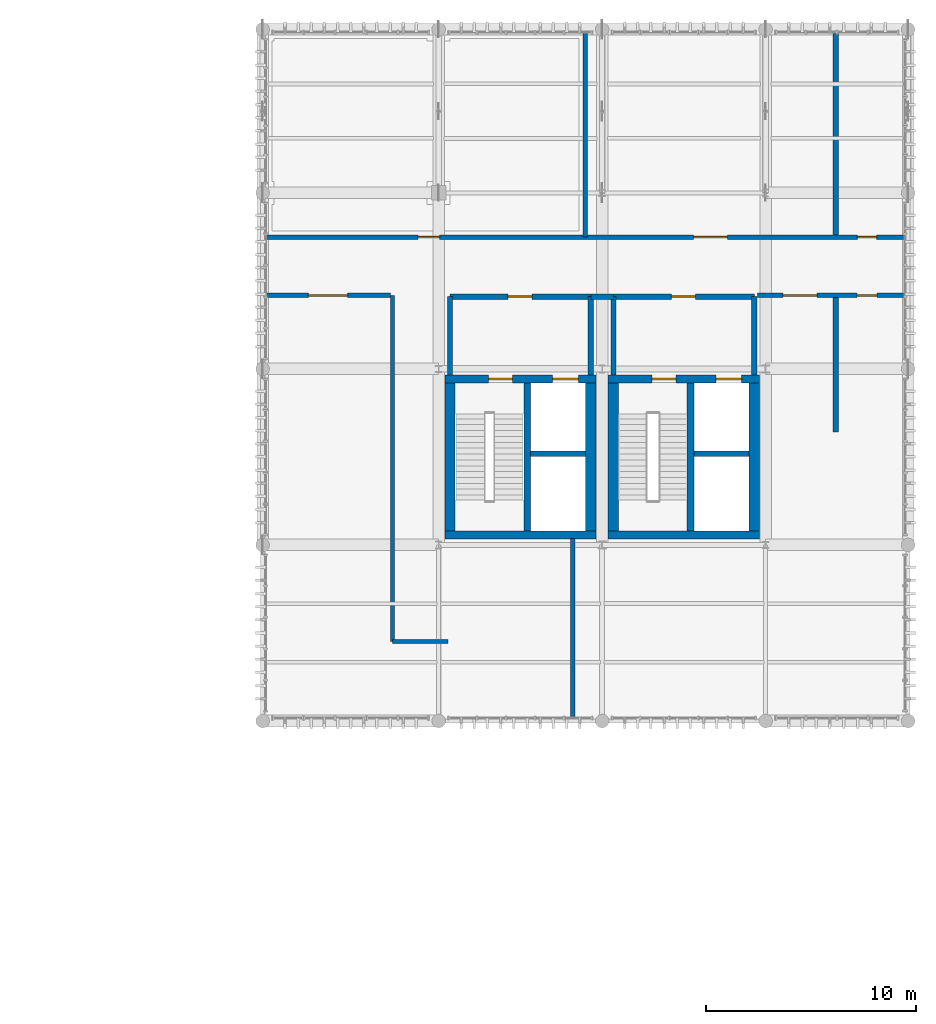
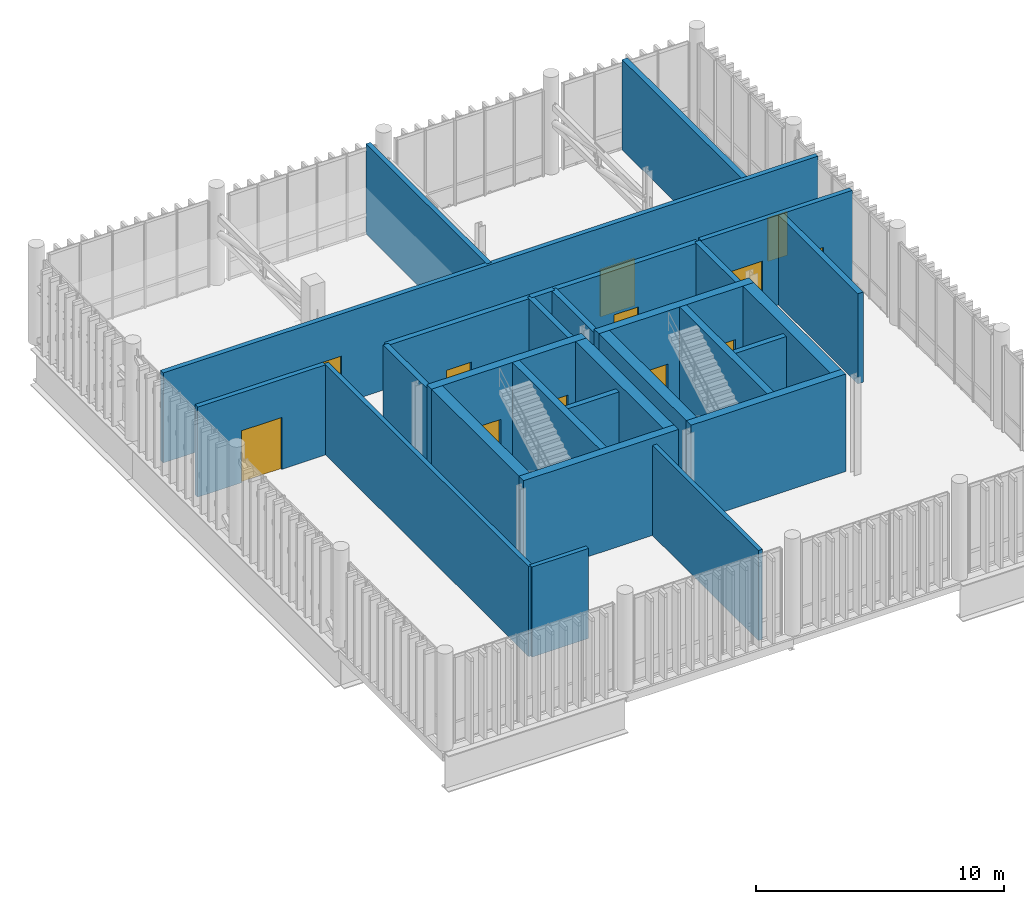
# One storey, part 72 of 81: 28 walls, 12 doors, 12 openings.
"""IFC4 building model written with IfcOpenShell, lengths in metres."""

from ifc_helpers import new_model, si_unit, direction, frame, frame_2d, origin_with_axes, place, context, subcontext, project, spatial, rectangle, extrude, material, layer, layer_set, type_object, element, fill, save


model = new_model("IFC4")

# Units and contexts
model_context = context("Model", 3, precision=1e-05, world=origin_with_axes(), true_north=direction((0.0, 1.0)))
body_context = subcontext(model_context, "Body", "Model", "MODEL_VIEW")
ifc_project = project(units=[si_unit("LENGTHUNIT", "METRE"), si_unit("AREAUNIT", "SQUARE_METRE"), si_unit("VOLUMEUNIT", "CUBIC_METRE"), si_unit("PLANEANGLEUNIT", "RADIAN"), si_unit("MASSUNIT", "GRAM", prefix="KILO"), si_unit("THERMODYNAMICTEMPERATUREUNIT", "KELVIN")], contexts=[model_context])

# Site, building, storey
site_placement = place(None, origin_with_axes())
site = spatial("IfcSite", under=ifc_project, at=site_placement, CompositionType="ELEMENT")
building_placement = place(site_placement, origin_with_axes())
building = spatial("IfcBuilding", under=site, at=building_placement, Name="Montbau Bow Law Courts", CompositionType="ELEMENT")
storey_placement = place(building_placement, frame((0.0, 0.0, 24.9), z_axis=(0.0, 0.0, 1.0), x_axis=(1.0, 0.0, 0.0)))
storey = spatial("IfcBuildingStorey", under=building, at=storey_placement, Name="L05", CompositionType="ELEMENT", Elevation=24.9)

# Walls
ifc_material_1 = material(Name="Concrete CSA A23.1 f'c 45 MPa", Category="concrete")
ifc_layer_1 = layer(ifc_material_1, 0.5, Name="Shear Wall", Category="concrete")
ifc_layer_set_1 = layer_set([ifc_layer_1], Name="Concrete CSA A23.1 f'c 45 MPa")
wall_type_1 = type_object("IfcWallType", Name="W-COR-01", PredefinedType="SHEAR", material=ifc_layer_set_1)
for number, where, z_axis, x_axis, name in (
    (1, (154.26, 87.07, 24.9), (0.0, 0.0, 1.0), (0.0, 1.0, 0.0), "WC-L05-0330:wal_0397"),
    (2, (147.54, 94.13, 24.9), (0.0, 0.0, 1.0), (0.0, -1.0, 0.0), "WC-L05-0331:wal_0398"),
    (3, (162.06, 87.07, 24.9), (0.0, 0.0, 1.0), (0.0, 1.0, 0.0), "WC-L05-0433:wal_0500"),
    (4, (155.34, 94.13, 24.9), (0.0, 0.0, 1.0), (0.0, -1.0, 0.0), "WC-L05-0434:wal_0501"),
):
    element("IfcWall", number, at=place(None, frame(where, z_axis=z_axis, x_axis=x_axis)), inside=storey, type_object=wall_type_1, Name=name, PredefinedType="SHEAR", context=body_context, shape_type="SweptSolid", body=[
        extrude(rectangle(XDim=7.060000000000002, YDim=0.5, at=frame_2d((3.53, 0.0), x_axis=(1.0, 0.0))), origin_with_axes(), (0.0, 0.0, 1.0), 4.8),
    ])
ifc_layer_2 = layer(ifc_material_1, 0.38, Name="Shear Wall", Category="concrete")
ifc_layer_set_2 = layer_set([ifc_layer_2], Name="Concrete CSA A23.1 f'c 45 MPa")
wall_type_2 = type_object("IfcWallType", Name="W-COR-04", PredefinedType="SHEAR", material=ifc_layer_set_2)
wall_1_placement = place(None, frame((147.29, 86.88, 24.9), z_axis=(0.0, 0.0, 1.0), x_axis=(1.0, 0.0, 0.0)))
element("IfcWall", 5, at=wall_1_placement, inside=storey, type_object=wall_type_2, Name="WC-L05-0328:wal_0395", PredefinedType="SHEAR", context=body_context, shape_type="SweptSolid", body=[
    extrude(rectangle(XDim=7.219999999999999, YDim=0.38, at=frame_2d((3.61, 0.0), x_axis=(1.0, 0.0))), origin_with_axes(), (0.0, 0.0, 1.0), 4.8),
])

# Wall, openings, doors
wall_2_placement = place(None, frame((154.51, 94.32, 24.9), z_axis=(0.0, 0.0, 1.0), x_axis=(-1.0, 0.0, 0.0)))
wall_2 = element("IfcWall", 6, at=wall_2_placement, inside=storey, type_object=wall_type_2, Name="WC-L05-0329:wal_0396", PredefinedType="SHEAR", context=body_context, shape_type="SweptSolid", body=[
    extrude(rectangle(XDim=7.219999999999999, YDim=0.38, at=frame_2d((3.61, 0.0), x_axis=(1.0, 0.0))), origin_with_axes(), (0.0, 0.0, 1.0), 4.8),
])
opening_1_placement = place(None, frame((149.95, 94.32, 24.9), z_axis=(0.0, 0.0, 1.0), x_axis=(-1.0, 0.0, 0.0)))
opening_1 = element("IfcOpeningElement", 7, at=opening_1_placement, cuts=wall_2, Name="OP-D-L05-ST-P2", PredefinedType="OPENING", context=body_context, shape_type="SweptSolid", body=[
    extrude(rectangle(XDim=1.14, YDim=2.18, at=frame_2d((0.0, 1.09), x_axis=(1.0, 0.0))), frame((0.0, 0.2, 0.0), z_axis=(0.0, -1.0, 0.0), x_axis=(1.0, 0.0, 0.0)), (0.0, 0.0, 1.0), 0.4),
])
opening_2_placement = place(None, frame((153.05, 94.32, 24.9), z_axis=(0.0, 0.0, 1.0), x_axis=(-1.0, 0.0, 0.0)))
opening_2 = element("IfcOpeningElement", 8, at=opening_2_placement, cuts=wall_2, Name="OP-LD-L05-EL-FF1", PredefinedType="OPENING", context=body_context, shape_type="SweptSolid", body=[
    extrude(rectangle(XDim=1.22, YDim=2.28, at=frame_2d((0.0, 1.14), x_axis=(1.0, 0.0))), frame((0.0, 0.2, 0.0), z_axis=(0.0, -1.0, 0.0), x_axis=(1.0, 0.0, 0.0)), (0.0, 0.0, 1.0), 0.4),
])
ifc_material_2 = material(Name="1.5 h Fire-Rated Hollow-Metal Exit Stair Door", Category="steel")
door_type_1 = type_object("IfcDoorType", Name="D-ST-01", OperationType="NOTDEFINED", ParameterTakesPrecedence=False, PredefinedType="DOOR", material=ifc_material_2)
door_1_placement = place(None, frame((149.95, 94.32, 24.9), z_axis=(0.0, 0.0, 1.0), x_axis=(1.0, 0.0, 0.0)))
door_1 = element("IfcDoor", 9, at=door_1_placement, inside=storey, type_object=door_type_1, Name="D-L05-ST-P2:dor_0162", OperationType="SINGLE_SWING_LEFT", OverallHeight=2.18, OverallWidth=1.14, PredefinedType="DOOR", context=body_context, shape_type="SweptSolid", body=[
    extrude(rectangle(XDim=1.14, YDim=2.18, at=frame_2d((0.0, 1.09), x_axis=(1.0, 0.0))), frame((0.0, 0.04, 0.0), z_axis=(0.0, -1.0, 0.0), x_axis=(1.0, 0.0, 0.0)), (0.0, 0.0, 1.0), 0.08),
])
fill(opening_1, door_1)
ifc_material_3 = material(Name="CSA B44 Firefighters Elevator Landing Door", Category="steel")
door_type_2 = type_object("IfcDoorType", Name="LD-FFE-01", OperationType="NOTDEFINED", ParameterTakesPrecedence=False, PredefinedType="DOOR", material=ifc_material_3)
door_2_placement = place(None, frame((153.05, 94.32, 24.9), z_axis=(0.0, 0.0, 1.0), x_axis=(1.0, 0.0, 0.0)))
door_2 = element("IfcDoor", 10, at=door_2_placement, inside=storey, type_object=door_type_2, Name="LD-L05-EL-FF1:dor_0163", OperationType="SLIDING_TO_LEFT", OverallHeight=2.28, OverallWidth=1.22, PredefinedType="DOOR", context=body_context, shape_type="SweptSolid", body=[
    extrude(rectangle(XDim=1.22, YDim=2.28, at=frame_2d((0.0, 1.14), x_axis=(1.0, 0.0))), frame((0.0, 0.04, 0.0), z_axis=(0.0, -1.0, 0.0), x_axis=(1.0, 0.0, 0.0)), (0.0, 0.0, 1.0), 0.08),
])
fill(opening_2, door_2)

# Wall
wall_3_placement = place(None, frame((155.09, 86.88, 24.9), z_axis=(0.0, 0.0, 1.0), x_axis=(1.0, 0.0, 0.0)))
element("IfcWall", 11, at=wall_3_placement, inside=storey, type_object=wall_type_2, Name="WC-L05-0431:wal_0498", PredefinedType="SHEAR", context=body_context, shape_type="SweptSolid", body=[
    extrude(rectangle(XDim=7.219999999999999, YDim=0.38, at=frame_2d((3.61, 0.0), x_axis=(1.0, 0.0))), origin_with_axes(), (0.0, 0.0, 1.0), 4.8),
])

# Wall, openings, doors
wall_4_placement = place(None, frame((162.31, 94.32, 24.9), z_axis=(0.0, 0.0, 1.0), x_axis=(-1.0, 0.0, 0.0)))
wall_4 = element("IfcWall", 12, at=wall_4_placement, inside=storey, type_object=wall_type_2, Name="WC-L05-0432:wal_0499", PredefinedType="SHEAR", context=body_context, shape_type="SweptSolid", body=[
    extrude(rectangle(XDim=7.219999999999999, YDim=0.38, at=frame_2d((3.61, 0.0), x_axis=(1.0, 0.0))), origin_with_axes(), (0.0, 0.0, 1.0), 4.8),
])
opening_3_placement = place(None, frame((157.75, 94.32, 24.9), z_axis=(0.0, 0.0, 1.0), x_axis=(-1.0, 0.0, 0.0)))
opening_3 = element("IfcOpeningElement", 13, at=opening_3_placement, cuts=wall_4, Name="OP-D-L05-ST-J2", PredefinedType="OPENING", context=body_context, shape_type="SweptSolid", body=[
    extrude(rectangle(XDim=1.14, YDim=2.18, at=frame_2d((0.0, 1.09), x_axis=(1.0, 0.0))), frame((0.0, 0.2, 0.0), z_axis=(0.0, -1.0, 0.0), x_axis=(1.0, 0.0, 0.0)), (0.0, 0.0, 1.0), 0.4),
])
opening_4_placement = place(None, frame((160.85, 94.32, 24.9), z_axis=(0.0, 0.0, 1.0), x_axis=(-1.0, 0.0, 0.0)))
opening_4 = element("IfcOpeningElement", 14, at=opening_4_placement, cuts=wall_4, Name="OP-LD-L05-EL-FF2", PredefinedType="OPENING", context=body_context, shape_type="SweptSolid", body=[
    extrude(rectangle(XDim=1.22, YDim=2.28, at=frame_2d((0.0, 1.14), x_axis=(1.0, 0.0))), frame((0.0, 0.2, 0.0), z_axis=(0.0, -1.0, 0.0), x_axis=(1.0, 0.0, 0.0)), (0.0, 0.0, 1.0), 0.4),
])
door_3_placement = place(None, frame((157.75, 94.32, 24.9), z_axis=(0.0, 0.0, 1.0), x_axis=(1.0, 0.0, 0.0)))
door_3 = element("IfcDoor", 15, at=door_3_placement, inside=storey, type_object=door_type_1, Name="D-L05-ST-J2:dor_0200", OperationType="SINGLE_SWING_RIGHT", OverallHeight=2.18, OverallWidth=1.14, PredefinedType="DOOR", context=body_context, shape_type="SweptSolid", body=[
    extrude(rectangle(XDim=1.14, YDim=2.18, at=frame_2d((0.0, 1.09), x_axis=(1.0, 0.0))), frame((0.0, 0.04, 0.0), z_axis=(0.0, -1.0, 0.0), x_axis=(1.0, 0.0, 0.0)), (0.0, 0.0, 1.0), 0.08),
])
fill(opening_3, door_3)
door_4_placement = place(None, frame((160.85, 94.32, 24.9), z_axis=(0.0, 0.0, 1.0), x_axis=(1.0, 0.0, 0.0)))
door_4 = element("IfcDoor", 16, at=door_4_placement, inside=storey, type_object=door_type_2, Name="LD-L05-EL-FF2:dor_0201", OperationType="SLIDING_TO_LEFT", OverallHeight=2.28, OverallWidth=1.22, PredefinedType="DOOR", context=body_context, shape_type="SweptSolid", body=[
    extrude(rectangle(XDim=1.22, YDim=2.28, at=frame_2d((0.0, 1.14), x_axis=(1.0, 0.0))), frame((0.0, 0.04, 0.0), z_axis=(0.0, -1.0, 0.0), x_axis=(1.0, 0.0, 0.0)), (0.0, 0.0, 1.0), 0.08),
])
fill(opening_4, door_4)

# Walls
ifc_layer_3 = layer(ifc_material_1, 0.32, Name="Shear Wall", Category="concrete")
ifc_layer_set_3 = layer_set([ifc_layer_3], Name="Concrete CSA A23.1 f'c 45 MPa")
wall_type_3 = type_object("IfcWallType", Name="W-COR-05", PredefinedType="SHEAR", material=ifc_layer_set_3)
for number, where, z_axis, x_axis, name in (
    (17, (151.22, 87.07, 24.9), (0.0, 0.0, 1.0), (0.0, 1.0, 0.0), "WS-L05-0332:wal_0399"),
    (18, (159.02, 87.07, 24.9), (0.0, 0.0, 1.0), (0.0, 1.0, 0.0), "WS-L05-0435:wal_0502"),
):
    element("IfcWall", number, at=place(None, frame(where, z_axis=z_axis, x_axis=x_axis)), inside=storey, type_object=wall_type_3, Name=name, PredefinedType="SHEAR", context=body_context, shape_type="SweptSolid", body=[
        extrude(rectangle(XDim=7.060000000000002, YDim=0.32, at=frame_2d((3.53, 0.0), x_axis=(1.0, 0.0))), origin_with_axes(), (0.0, 0.0, 1.0), 4.8),
    ])
ifc_material_4 = material(Name="Double-Stud Acoustic Plumbing Chase Gypsum Assembly", Category="gypsum")
ifc_layer_4 = layer(ifc_material_4, 0.26, Name="Plumbing Wall", Category="gypsum")
ifc_layer_set_4 = layer_set([ifc_layer_4], Name="Double-Stud Acoustic Plumbing Chase Gypsum Assembly")
wall_type_4 = type_object("IfcWallType", Name="W-PLM-01", PredefinedType="PLUMBINGWALL", material=ifc_layer_set_4)
wall_5_placement = place(None, frame((165.94, 101.19, 24.9), z_axis=(0.0, 0.0, 1.0), x_axis=(0.0, 1.0, 0.0)))
element("IfcWall", 19, at=wall_5_placement, inside=storey, type_object=wall_type_4, Name="WD-L05-0866:wal_0933", PredefinedType="PLUMBINGWALL", context=body_context, shape_type="SweptSolid", body=[
    extrude(rectangle(XDim=9.629999999999995, YDim=0.26, at=frame_2d((4.815, 0.0), x_axis=(1.0, 0.0))), origin_with_axes(), (0.0, 0.0, 1.0), 4.44),
])
wall_6_placement = place(None, frame((165.94, 91.78, 24.9), z_axis=(0.0, 0.0, 1.0), x_axis=(0.0, 1.0, 0.0)))
element("IfcWall", 20, at=wall_6_placement, inside=storey, type_object=wall_type_4, Name="WD-L05-0867:wal_0934", PredefinedType="PLUMBINGWALL", context=body_context, shape_type="SweptSolid", body=[
    extrude(rectangle(XDim=6.429999999999993, YDim=0.26, at=frame_2d((3.215, 0.0), x_axis=(1.0, 0.0))), origin_with_axes(), (0.0, 0.0, 1.0), 4.44),
])
ifc_material_5 = material(Name="2 h Shaft and Exit-Passage Fire Separation Partition", Category="gypsum")
ifc_layer_5 = layer(ifc_material_5, 0.25, Name="Partition", Category="gypsum")
ifc_layer_set_5 = layer_set([ifc_layer_5], Name="2 h Shaft and Exit-Passage Fire Separation Partition")
wall_type_5 = type_object("IfcWallType", Name="W-PRT-01", PredefinedType="PARTITIONING", material=ifc_layer_set_5)
wall_7_placement = place(None, frame((151.38, 90.749, 24.9), z_axis=(0.0, 0.0, 1.0), x_axis=(1.0, 0.0, 0.0)))
element("IfcWall", 21, at=wall_7_placement, inside=storey, type_object=wall_type_5, Name="WS-L05-0333:wal_0400", PredefinedType="PARTITIONING", context=body_context, shape_type="SweptSolid", body=[
    extrude(rectangle(XDim=2.6299999999999955, YDim=0.25, at=frame_2d((1.315, 0.0), x_axis=(1.0, 0.0))), origin_with_axes(), (0.0, 0.0, 1.0), 4.44),
])

# Wall, opening, door
wall_8_placement = place(None, frame((154.26, 98.25, 24.9), z_axis=(0.0, 0.0, 1.0), x_axis=(-1.0, 0.0, 0.0)))
wall_8 = element("IfcWall", 22, at=wall_8_placement, inside=storey, type_object=wall_type_5, Name="WFF-L05-0334:wal_0401", PredefinedType="PARTITIONING", context=body_context, shape_type="SweptSolid", body=[
    extrude(rectangle(XDim=6.719999999999999, YDim=0.25, at=frame_2d((3.36, 0.0), x_axis=(1.0, 0.0))), origin_with_axes(), (0.0, 0.0, 1.0), 4.44),
])
opening_5_placement = place(None, frame((150.875, 98.25, 24.9), z_axis=(0.0, 0.0, 1.0), x_axis=(-1.0, 0.0, 0.0)))
opening_5 = element("IfcOpeningElement", 23, at=opening_5_placement, cuts=wall_8, Name="OP-D-L05-FFL5", PredefinedType="OPENING", context=body_context, shape_type="SweptSolid", body=[
    extrude(rectangle(XDim=1.15, YDim=2.25, at=frame_2d((0.0, 1.125), x_axis=(1.0, 0.0))), frame((0.0, 0.135, 0.0), z_axis=(0.0, -1.0, 0.0), x_axis=(1.0, 0.0, 0.0)), (0.0, 0.0, 1.0), 0.27),
])
ifc_material_6 = material(Name="1.5 h Smoke-Sealed Firefighters Lobby Door", Category="steel")
door_type_3 = type_object("IfcDoorType", Name="D-FFL-01", OperationType="NOTDEFINED", ParameterTakesPrecedence=False, PredefinedType="DOOR", material=ifc_material_6)
door_5_placement = place(None, frame((150.875, 98.25, 24.9), z_axis=(0.0, 0.0, 1.0), x_axis=(1.0, 0.0, 0.0)))
door_5 = element("IfcDoor", 24, at=door_5_placement, inside=storey, type_object=door_type_3, Name="D-L05-FFL5:dor_0164", OperationType="SINGLE_SWING_RIGHT", OverallHeight=2.25, OverallWidth=1.15, PredefinedType="DOOR", context=body_context, shape_type="SweptSolid", body=[
    extrude(rectangle(XDim=1.15, YDim=2.25, at=frame_2d((0.0, 1.125), x_axis=(1.0, 0.0))), frame((0.0, 0.04, 0.0), z_axis=(0.0, -1.0, 0.0), x_axis=(1.0, 0.0, 0.0)), (0.0, 0.0, 1.0), 0.08),
])
fill(opening_5, door_5)

# Walls
for number, where, z_axis, x_axis, name in (
    (25, (147.54, 94.5, 24.9), (0.0, 0.0, 1.0), (0.0, 1.0, 0.0), "WFF-L05-0335:wal_0402"),
    (26, (154.26, 94.5, 24.9), (0.0, 0.0, 1.0), (0.0, 1.0, 0.0), "WFF-L05-0336:wal_0403"),
):
    element("IfcWall", number, at=place(None, frame(where, z_axis=z_axis, x_axis=x_axis)), inside=storey, type_object=wall_type_5, Name=name, PredefinedType="PARTITIONING", context=body_context, shape_type="SweptSolid", body=[
        extrude(rectangle(XDim=3.75, YDim=0.25, at=frame_2d((1.875, 0.0), x_axis=(1.0, 0.0))), origin_with_axes(), (0.0, 0.0, 1.0), 4.44),
    ])
wall_9_placement = place(None, frame((159.18, 90.749, 24.9), z_axis=(0.0, 0.0, 1.0), x_axis=(1.0, 0.0, 0.0)))
element("IfcWall", 27, at=wall_9_placement, inside=storey, type_object=wall_type_5, Name="WS-L05-0436:wal_0503", PredefinedType="PARTITIONING", context=body_context, shape_type="SweptSolid", body=[
    extrude(rectangle(XDim=2.6299999999999955, YDim=0.25, at=frame_2d((1.315, 0.0), x_axis=(1.0, 0.0))), origin_with_axes(), (0.0, 0.0, 1.0), 4.44),
])

# Wall, opening, door
wall_10_placement = place(None, frame((162.06, 98.25, 24.9), z_axis=(0.0, 0.0, 1.0), x_axis=(-1.0, 0.0, 0.0)))
wall_10 = element("IfcWall", 28, at=wall_10_placement, inside=storey, type_object=wall_type_5, Name="WFF-L05-0437:wal_0504", PredefinedType="PARTITIONING", context=body_context, shape_type="SweptSolid", body=[
    extrude(rectangle(XDim=6.719999999999999, YDim=0.25, at=frame_2d((3.36, 0.0), x_axis=(1.0, 0.0))), origin_with_axes(), (0.0, 0.0, 1.0), 4.44),
])
opening_6_placement = place(None, frame((158.675, 98.25, 24.9), z_axis=(0.0, 0.0, 1.0), x_axis=(-1.0, 0.0, 0.0)))
opening_6 = element("IfcOpeningElement", 29, at=opening_6_placement, cuts=wall_10, Name="OP-D-L05-FFL6", PredefinedType="OPENING", context=body_context, shape_type="SweptSolid", body=[
    extrude(rectangle(XDim=1.15, YDim=2.25, at=frame_2d((0.0, 1.125), x_axis=(1.0, 0.0))), frame((0.0, 0.135, 0.0), z_axis=(0.0, -1.0, 0.0), x_axis=(1.0, 0.0, 0.0)), (0.0, 0.0, 1.0), 0.27),
])
door_6_placement = place(None, frame((158.675, 98.25, 24.9), z_axis=(0.0, 0.0, 1.0), x_axis=(1.0, 0.0, 0.0)))
door_6 = element("IfcDoor", 30, at=door_6_placement, inside=storey, type_object=door_type_3, Name="D-L05-FFL6:dor_0202", OperationType="SINGLE_SWING_LEFT", OverallHeight=2.25, OverallWidth=1.15, PredefinedType="DOOR", context=body_context, shape_type="SweptSolid", body=[
    extrude(rectangle(XDim=1.15, YDim=2.25, at=frame_2d((0.0, 1.125), x_axis=(1.0, 0.0))), frame((0.0, 0.04, 0.0), z_axis=(0.0, -1.0, 0.0), x_axis=(1.0, 0.0, 0.0)), (0.0, 0.0, 1.0), 0.08),
])
fill(opening_6, door_6)

# Walls
for number, where, z_axis, x_axis, name in (
    (31, (155.34, 94.5, 24.9), (0.0, 0.0, 1.0), (0.0, 1.0, 0.0), "WFF-L05-0438:wal_0505"),
    (32, (162.06, 94.5, 24.9), (0.0, 0.0, 1.0), (0.0, 1.0, 0.0), "WFF-L05-0439:wal_0506"),
):
    element("IfcWall", number, at=place(None, frame(where, z_axis=z_axis, x_axis=x_axis)), inside=storey, type_object=wall_type_5, Name=name, PredefinedType="PARTITIONING", context=body_context, shape_type="SweptSolid", body=[
        extrude(rectangle(XDim=3.75, YDim=0.25, at=frame_2d((1.875, 0.0), x_axis=(1.0, 0.0))), origin_with_axes(), (0.0, 0.0, 1.0), 4.44),
    ])
wall_11_placement = place(None, frame((154.26, 98.25, 24.9), z_axis=(0.0, 0.0, 1.0), x_axis=(1.0, 0.0, 0.0)))
element("IfcWall", 33, at=wall_11_placement, inside=storey, type_object=wall_type_5, Name="WFF-L05-0549:wal_0616", PredefinedType="PARTITIONING", context=body_context, shape_type="SweptSolid", body=[
    extrude(rectangle(XDim=1.0800000000000125, YDim=0.25, at=frame_2d((0.54, 0.0), x_axis=(1.0, 0.0))), origin_with_axes(), (0.0, 0.0, 1.0), 4.44),
])

# Wall, openings, doors
ifc_material_7 = material(Name="STC-60 High-Acoustic Courtroom Perimeter Partition", Category="gypsum")
ifc_layer_6 = layer(ifc_material_7, 0.22, Name="Partition", Category="gypsum")
ifc_layer_set_6 = layer_set([ifc_layer_6], Name="STC-60 High-Acoustic Courtroom Perimeter Partition")
wall_type_6 = type_object("IfcWallType", Name="W-PRT-02", PredefinedType="PARTITIONING", material=ifc_layer_set_6)
wall_12_placement = place(None, frame((138.74, 101.09, 24.9), z_axis=(0.0, 0.0, 1.0), x_axis=(1.0, 0.0, 0.0)))
wall_12 = element("IfcWall", 34, at=wall_12_placement, inside=storey, type_object=wall_type_6, Name="WP-L05-0863:wal_0930", PredefinedType="PARTITIONING", context=body_context, shape_type="SweptSolid", body=[
    extrude(rectangle(XDim=30.519999999999982, YDim=0.22, at=frame_2d((15.26, 0.0), x_axis=(1.0, 0.0))), origin_with_axes(), (0.0, 0.0, 1.0), 4.44),
])
opening_7_placement = place(None, frame((146.532, 101.09, 24.9), z_axis=(0.0, 0.0, 1.0), x_axis=(1.0, 0.0, 0.0)))
opening_7 = element("IfcOpeningElement", 35, at=opening_7_placement, cuts=wall_12, Name="OP-D-L05-364", PredefinedType="OPENING", context=body_context, shape_type="SweptSolid", body=[
    extrude(rectangle(XDim=1.02, YDim=2.36, at=frame_2d((0.0, 1.18), x_axis=(1.0, 0.0))), frame((0.0, 0.12, 0.0), z_axis=(0.0, -1.0, 0.0), x_axis=(1.0, 0.0, 0.0)), (0.0, 0.0, 1.0), 0.24),
])
opening_8_placement = place(None, frame((159.97, 101.09, 24.9), z_axis=(0.0, 0.0, 1.0), x_axis=(1.0, 0.0, 0.0)))
opening_8 = element("IfcOpeningElement", 36, at=opening_8_placement, cuts=wall_12, Name="OP-D-L05-365", PredefinedType="OPENING", context=body_context, shape_type="SweptSolid", body=[
    extrude(rectangle(XDim=1.6, YDim=2.32, at=frame_2d((0.0, 1.16), x_axis=(1.0, 0.0))), frame((0.0, 0.12, 0.0), z_axis=(0.0, -1.0, 0.0), x_axis=(1.0, 0.0, 0.0)), (0.0, 0.0, 1.0), 0.24),
])
opening_9_placement = place(None, frame((167.438, 101.09, 24.9), z_axis=(0.0, 0.0, 1.0), x_axis=(1.0, 0.0, 0.0)))
opening_9 = element("IfcOpeningElement", 37, at=opening_9_placement, cuts=wall_12, Name="OP-D-L05-366", PredefinedType="OPENING", context=body_context, shape_type="SweptSolid", body=[
    extrude(rectangle(XDim=0.91, YDim=2.12, at=frame_2d((0.0, 1.06), x_axis=(1.0, 0.0))), frame((0.0, 0.12, 0.0), z_axis=(0.0, -1.0, 0.0), x_axis=(1.0, 0.0, 0.0)), (0.0, 0.0, 1.0), 0.24),
])
ifc_material_8 = material(Name="Judge Bench Private Entry Acoustic Oak Door", Category="wood")
door_type_4 = type_object("IfcDoorType", Name="D-CRT-05", OperationType="NOTDEFINED", ParameterTakesPrecedence=False, PredefinedType="DOOR", material=ifc_material_8)
door_7_placement = place(None, frame((146.532, 101.09, 24.9), z_axis=(0.0, 0.0, 1.0), x_axis=(-1.0, 0.0, 0.0)))
door_7 = element("IfcDoor", 38, at=door_7_placement, inside=storey, type_object=door_type_4, Name="D-L05-364:dor_0399", OperationType="SINGLE_SWING_LEFT", OverallHeight=2.36, OverallWidth=1.02, PredefinedType="DOOR", context=body_context, shape_type="SweptSolid", body=[
    extrude(rectangle(XDim=1.02, YDim=2.36, at=frame_2d((0.0, 1.18), x_axis=(1.0, 0.0))), frame((0.0, 0.04, 0.0), z_axis=(0.0, -1.0, 0.0), x_axis=(1.0, 0.0, 0.0)), (0.0, 0.0, 1.0), 0.08),
])
fill(opening_7, door_7)
ifc_material_9 = material(Name="Jury Assembly Lounge Glazed Oak Double Door", Category="wood")
door_type_5 = type_object("IfcDoorType", Name="D-JUR-02", OperationType="NOTDEFINED", ParameterTakesPrecedence=False, PredefinedType="DOOR", material=ifc_material_9)
door_8_placement = place(None, frame((159.97, 101.09, 24.9), z_axis=(0.0, 0.0, 1.0), x_axis=(-1.0, 0.0, 0.0)))
door_8 = element("IfcDoor", 39, at=door_8_placement, inside=storey, type_object=door_type_5, Name="D-L05-365:dor_0400", OperationType="DOUBLE_DOOR_SINGLE_SWING", OverallHeight=2.32, OverallWidth=1.6, PredefinedType="DOOR", context=body_context, shape_type="SweptSolid", body=[
    extrude(rectangle(XDim=1.6, YDim=2.32, at=frame_2d((0.0, 1.16), x_axis=(1.0, 0.0))), frame((0.0, 0.04, 0.0), z_axis=(0.0, -1.0, 0.0), x_axis=(1.0, 0.0, 0.0)), (0.0, 0.0, 1.0), 0.08),
])
fill(opening_8, door_8)
ifc_material_10 = material(Name="Public and Judicial Washroom Solid-Core Door", Category="wood")
door_type_6 = type_object("IfcDoorType", Name="D-WC-02", OperationType="NOTDEFINED", ParameterTakesPrecedence=False, PredefinedType="DOOR", material=ifc_material_10)
door_9_placement = place(None, frame((167.438, 101.09, 24.9), z_axis=(0.0, 0.0, 1.0), x_axis=(-1.0, 0.0, 0.0)))
door_9 = element("IfcDoor", 40, at=door_9_placement, inside=storey, type_object=door_type_6, Name="D-L05-366:dor_0401", OperationType="SINGLE_SWING_RIGHT", OverallHeight=2.12, OverallWidth=0.91, PredefinedType="DOOR", context=body_context, shape_type="SweptSolid", body=[
    extrude(rectangle(XDim=0.91, YDim=2.12, at=frame_2d((0.0, 1.06), x_axis=(1.0, 0.0))), frame((0.0, 0.04, 0.0), z_axis=(0.0, -1.0, 0.0), x_axis=(1.0, 0.0, 0.0)), (0.0, 0.0, 1.0), 0.08),
])
fill(opening_9, door_9)

# Wall, opening, door
wall_13_placement = place(None, frame((138.74, 98.31, 24.9), z_axis=(0.0, 0.0, 1.0), x_axis=(1.0, 0.0, 0.0)))
wall_13 = element("IfcWall", 41, at=wall_13_placement, inside=storey, type_object=wall_type_6, Name="WP-L05-0864:wal_0931", PredefinedType="PARTITIONING", context=body_context, shape_type="SweptSolid", body=[
    extrude(rectangle(XDim=5.9599999999999795, YDim=0.22, at=frame_2d((2.98, 0.0), x_axis=(1.0, 0.0))), origin_with_axes(), (0.0, 0.0, 1.0), 4.44),
])
opening_10_placement = place(None, frame((141.72, 98.31, 24.9), z_axis=(0.0, 0.0, 1.0), x_axis=(1.0, 0.0, 0.0)))
opening_10 = element("IfcOpeningElement", 42, at=opening_10_placement, cuts=wall_13, Name="OP-D-L05-367", PredefinedType="OPENING", context=body_context, shape_type="SweptSolid", body=[
    extrude(rectangle(XDim=1.88, YDim=2.56, at=frame_2d((0.0, 1.28), x_axis=(1.0, 0.0))), frame((0.0, 0.12, 0.0), z_axis=(0.0, -1.0, 0.0), x_axis=(1.0, 0.0, 0.0)), (0.0, 0.0, 1.0), 0.24),
])
ifc_material_11 = material(Name="Acoustic White-Oak Criminal Jury Courtroom Double Door", Category="wood")
door_type_7 = type_object("IfcDoorType", Name="D-CRT-02", OperationType="NOTDEFINED", ParameterTakesPrecedence=False, PredefinedType="DOOR", material=ifc_material_11)
door_10_placement = place(None, frame((141.72, 98.31, 24.9), z_axis=(0.0, 0.0, 1.0), x_axis=(1.0, 0.0, 0.0)))
door_10 = element("IfcDoor", 43, at=door_10_placement, inside=storey, type_object=door_type_7, Name="D-L05-367:dor_0402", OperationType="DOUBLE_DOOR_SINGLE_SWING", OverallHeight=2.56, OverallWidth=1.88, PredefinedType="DOOR", context=body_context, shape_type="SweptSolid", body=[
    extrude(rectangle(XDim=1.88, YDim=2.56, at=frame_2d((0.0, 1.28), x_axis=(1.0, 0.0))), frame((0.0, 0.04, 0.0), z_axis=(0.0, -1.0, 0.0), x_axis=(1.0, 0.0, 0.0)), (0.0, 0.0, 1.0), 0.08),
])
fill(opening_10, door_10)

# Wall, openings, doors
wall_14_placement = place(None, frame((162.22, 98.31, 24.9), z_axis=(0.0, 0.0, 1.0), x_axis=(1.0, 0.0, 0.0)))
wall_14 = element("IfcWall", 44, at=wall_14_placement, inside=storey, type_object=wall_type_6, Name="WP-L05-0865:wal_0932", PredefinedType="PARTITIONING", context=body_context, shape_type="SweptSolid", body=[
    extrude(rectangle(XDim=7.039999999999992, YDim=0.22, at=frame_2d((3.52, 0.0), x_axis=(1.0, 0.0))), origin_with_axes(), (0.0, 0.0, 1.0), 4.44),
])
opening_11_placement = place(None, frame((164.242, 98.31, 24.9), z_axis=(0.0, 0.0, 1.0), x_axis=(1.0, 0.0, 0.0)))
opening_11 = element("IfcOpeningElement", 45, at=opening_11_placement, cuts=wall_14, Name="OP-D-L05-368", PredefinedType="OPENING", context=body_context, shape_type="SweptSolid", body=[
    extrude(rectangle(XDim=1.64, YDim=2.42, at=frame_2d((0.0, 1.21), x_axis=(1.0, 0.0))), frame((0.0, 0.12, 0.0), z_axis=(0.0, -1.0, 0.0), x_axis=(1.0, 0.0, 0.0)), (0.0, 0.0, 1.0), 0.24),
])
opening_12_placement = place(None, frame((167.438, 98.31, 24.9), z_axis=(0.0, 0.0, 1.0), x_axis=(1.0, 0.0, 0.0)))
opening_12 = element("IfcOpeningElement", 46, at=opening_12_placement, cuts=wall_14, Name="OP-D-L05-369", PredefinedType="OPENING", context=body_context, shape_type="SweptSolid", body=[
    extrude(rectangle(XDim=0.95, YDim=2.1, at=frame_2d((0.0, 1.05), x_axis=(1.0, 0.0))), frame((0.0, 0.12, 0.0), z_axis=(0.0, -1.0, 0.0), x_axis=(1.0, 0.0, 0.0)), (0.0, 0.0, 1.0), 0.24),
])
ifc_material_12 = material(Name="Acoustic White-Oak Civil and Family Hearing Double Door", Category="wood")
door_type_8 = type_object("IfcDoorType", Name="D-CRT-04", OperationType="NOTDEFINED", ParameterTakesPrecedence=False, PredefinedType="DOOR", material=ifc_material_12)
door_11_placement = place(None, frame((164.242, 98.31, 24.9), z_axis=(0.0, 0.0, 1.0), x_axis=(1.0, 0.0, 0.0)))
door_11 = element("IfcDoor", 47, at=door_11_placement, inside=storey, type_object=door_type_8, Name="D-L05-368:dor_0403", OperationType="DOUBLE_DOOR_SINGLE_SWING", OverallHeight=2.42, OverallWidth=1.64, PredefinedType="DOOR", context=body_context, shape_type="SweptSolid", body=[
    extrude(rectangle(XDim=1.64, YDim=2.42, at=frame_2d((0.0, 1.21), x_axis=(1.0, 0.0))), frame((0.0, 0.04, 0.0), z_axis=(0.0, -1.0, 0.0), x_axis=(1.0, 0.0, 0.0)), (0.0, 0.0, 1.0), 0.08),
])
fill(opening_11, door_11)
ifc_material_13 = material(Name="CSA B651 Universal Barrier-Free Washroom Door", Category="wood")
door_type_9 = type_object("IfcDoorType", Name="D-WC-01", OperationType="NOTDEFINED", ParameterTakesPrecedence=False, PredefinedType="DOOR", material=ifc_material_13)
door_12_placement = place(None, frame((167.438, 98.31, 24.9), z_axis=(0.0, 0.0, 1.0), x_axis=(1.0, 0.0, 0.0)))
door_12 = element("IfcDoor", 48, at=door_12_placement, inside=storey, type_object=door_type_9, Name="D-L05-369:dor_0404", OperationType="SINGLE_SWING_LEFT", OverallHeight=2.1, OverallWidth=0.95, PredefinedType="DOOR", context=body_context, shape_type="SweptSolid", body=[
    extrude(rectangle(XDim=0.95, YDim=2.1, at=frame_2d((0.0, 1.05), x_axis=(1.0, 0.0))), frame((0.0, 0.04, 0.0), z_axis=(0.0, -1.0, 0.0), x_axis=(1.0, 0.0, 0.0)), (0.0, 0.0, 1.0), 0.08),
])
fill(opening_12, door_12)

# Walls
wall_15_placement = place(None, frame((154.0, 101.09, 24.9), z_axis=(0.0, 0.0, 1.0), x_axis=(0.0, 1.0, 0.0)))
element("IfcWall", 49, at=wall_15_placement, inside=storey, type_object=wall_type_6, Name="WD-L05-0868:wal_0935", PredefinedType="PARTITIONING", context=body_context, shape_type="SweptSolid", body=[
    extrude(rectangle(XDim=9.769999999999996, YDim=0.22, at=frame_2d((4.885, 0.0), x_axis=(1.0, 0.0))), origin_with_axes(), (0.0, 0.0, 1.0), 4.44),
])
ifc_material_14 = material(Name="STC-55 Jury Deliberation Security Partition", Category="gypsum")
ifc_layer_7 = layer(ifc_material_14, 0.2, Name="Partition", Category="gypsum")
ifc_layer_set_7 = layer_set([ifc_layer_7], Name="STC-55 Jury Deliberation Security Partition")
wall_type_7 = type_object("IfcWallType", Name="W-PRT-03", PredefinedType="PARTITIONING", material=ifc_layer_set_7)
wall_16_placement = place(None, frame((144.8, 81.8, 24.9), z_axis=(0.0, 0.0, 1.0), x_axis=(0.0, 1.0, 0.0)))
element("IfcWall", 50, at=wall_16_placement, inside=storey, type_object=wall_type_7, Name="WCX-L05-0861:wal_0928", PredefinedType="PARTITIONING", context=body_context, shape_type="SweptSolid", body=[
    extrude(rectangle(XDim=16.510000000000005, YDim=0.2, at=frame_2d((8.255, 0.0), x_axis=(1.0, 0.0))), origin_with_axes(), (0.0, 0.0, 1.0), 4.44),
])
wall_17_placement = place(None, frame((144.8, 81.8, 24.9), z_axis=(0.0, 0.0, 1.0), x_axis=(1.0, 0.0, 0.0)))
element("IfcWall", 51, at=wall_17_placement, inside=storey, type_object=wall_type_7, Name="WCX-L05-0862:wal_0929", PredefinedType="PARTITIONING", context=body_context, shape_type="SweptSolid", body=[
    extrude(rectangle(XDim=2.6399999999999864, YDim=0.2, at=frame_2d((1.32, 0.0), x_axis=(1.0, 0.0))), origin_with_axes(), (0.0, 0.0, 1.0), 4.44),
])
wall_18_placement = place(None, frame((153.393, 78.14, 24.9), z_axis=(0.0, 0.0, 1.0), x_axis=(0.0, 1.0, 0.0)))
element("IfcWall", 52, at=wall_18_placement, inside=storey, type_object=wall_type_7, Name="WD-L05-0869:wal_0936", PredefinedType="PARTITIONING", context=body_context, shape_type="SweptSolid", body=[
    extrude(rectangle(XDim=8.560000000000002, YDim=0.2, at=frame_2d((4.28, 0.0), x_axis=(1.0, 0.0))), origin_with_axes(), (0.0, 0.0, 1.0), 4.44),
])

save(model, "model.ifc")
